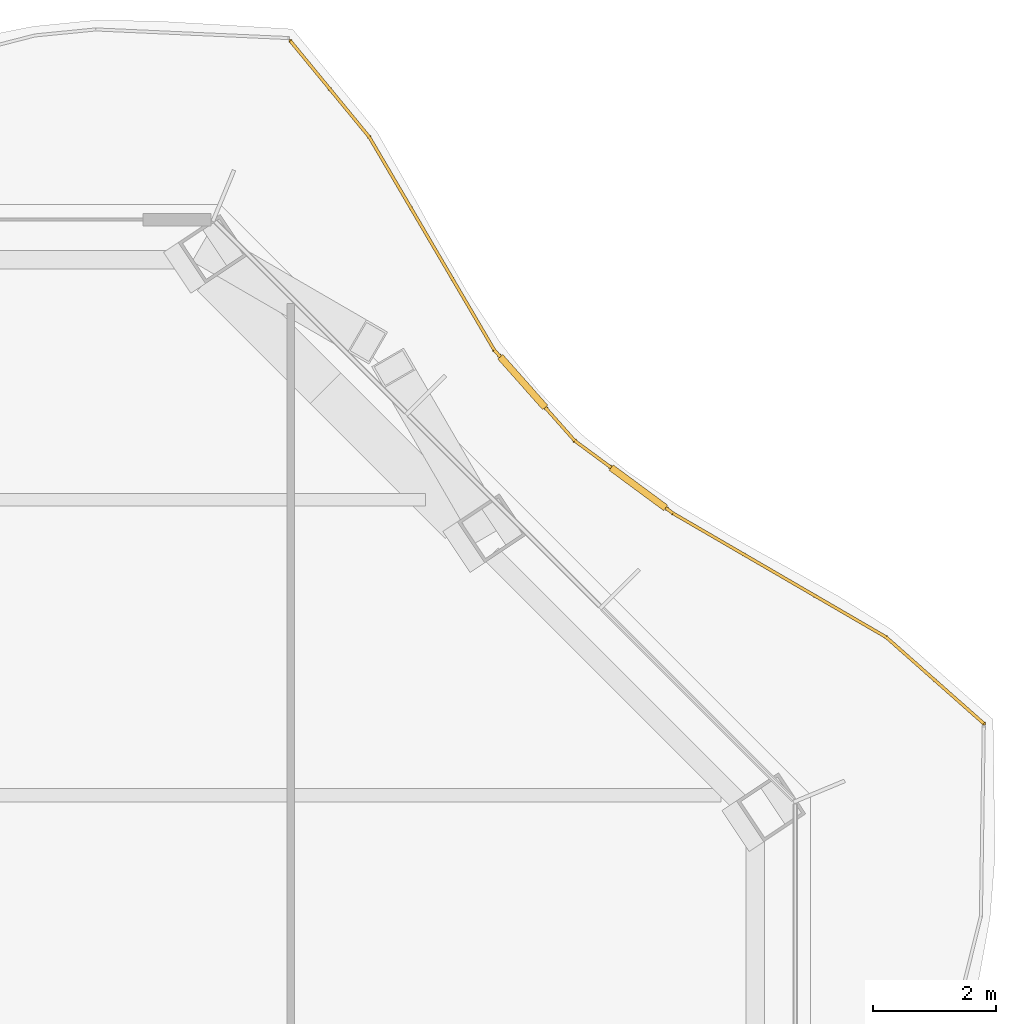
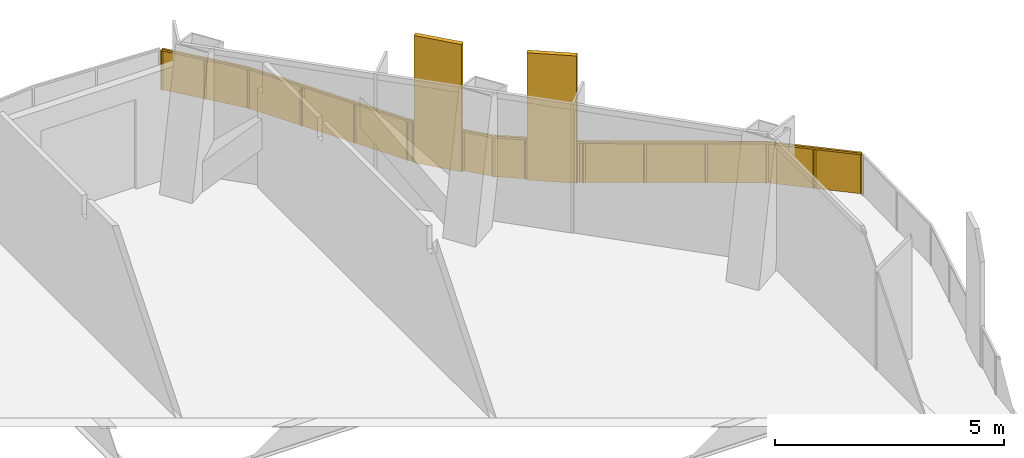
# One storey, part 21 of 21: 1 railing.
"""IFC4 building model written with IfcOpenShell, lengths in metres."""

from ifc_helpers import new_model, si_unit, direction, frame, origin, origin_2d, place, context, subcontext, project, spatial, polyline, rectangle, outline, extrude, material, type_object, element, save


model = new_model("IFC4")

# Units and contexts
model_context = context("Model", 3, precision=1e-05, world=origin(), true_north=direction((0.0, 1.0)))
body_context = subcontext(model_context, "Body", "Model", "MODEL_VIEW")
ifc_project = project(units=[si_unit("LENGTHUNIT", "METRE"), si_unit("AREAUNIT", "SQUARE_METRE"), si_unit("VOLUMEUNIT", "CUBIC_METRE"), si_unit("PLANEANGLEUNIT", "RADIAN"), si_unit("MASSUNIT", "GRAM", prefix="KILO")], contexts=[model_context])

# Site, building, storey
site_placement = place(None, origin())
site = spatial("IfcSite", under=ifc_project, at=site_placement, CompositionType="ELEMENT")
building_placement = place(site_placement, origin())
building = spatial("IfcBuilding", under=site, at=building_placement, Name="Cairn Pilgrim Tower", CompositionType="ELEMENT")
storey_placement = place(building_placement, frame((0.0, 0.0, 108.60009765625)))
storey = spatial("IfcBuildingStorey", under=building, at=storey_placement, Name="L26", CompositionType="ELEMENT", Elevation=108.60009765625)

# Railing
ifc_material = material(Name="Bronze anodised aluminium rail, posts and fin screens with laminated glass infill", Category="aluminium")
railing_type = type_object("IfcRailingType", Name="BALCONY GUARD WITH FIN SCREENS", PredefinedType="GUARDRAIL", material=ifc_material)
railing_placement = place(storey_placement, frame((37.805908203125, 19.689453125, 0.0)))
element("IfcRailing", 1, at=railing_placement, inside=storey, type_object=railing_type, Name="Balcony guard BGF-4 with fin screens", PredefinedType="GUARDRAIL", context=body_context, shape_type="SweptSolid", body=[
    extrude(rectangle(XDim=0.050048828125, YDim=0.050048828125, at=origin_2d()), frame((0.0, 0.0, 1.0751953125), z_axis=(-0.749110938393, 0.662444565213, 0.0), x_axis=(-0.662444565213, -0.749110938393, 0.0)), (0.0, 0.0, 1.0), 2.118408203125),
    extrude(rectangle(XDim=0.050048828125, YDim=0.050048828125, at=origin_2d()), frame((-1.5869140625, 1.4033203125, 1.0751953125), z_axis=(-0.864578002416, 0.502498634564, 0.0), x_axis=(-0.502498634564, -0.864578002416, 0.0)), (0.0, 0.0, 1.0), 4.005859375),
    extrude(rectangle(XDim=1.10009765625, YDim=0.110107421875, at=origin_2d()), frame((-5.613525390625, 3.83203125, 0.0), z_axis=(0.0, 0.0, 1.0), x_axis=(-0.804536309637, 0.59390346562, 0.0)), (0.0, 0.0, 1.0), 3.39990234375),
    extrude(rectangle(XDim=0.050048828125, YDim=0.050048828125, at=origin_2d()), frame((-5.05029296875, 3.416259765625, 1.0751953125), z_axis=(-0.804536309637, 0.59390346562, 0.0), x_axis=(-0.59390346562, -0.804536309637, 0.0)), (0.0, 0.0, 1.0), 0.150146484375),
    extrude(rectangle(XDim=0.050048828125, YDim=0.050048828125, at=origin_2d()), frame((-6.05615234375, 4.15869140625, 1.0751953125), z_axis=(-0.804536309637, 0.59390346562, 0.0), x_axis=(-0.59390346562, -0.804536309637, 0.0)), (0.0, 0.0, 1.0), 0.7353515625),
    extrude(rectangle(XDim=1.10009765625, YDim=0.110107421875, at=origin_2d()), frame((-7.49267578125, 5.548095703125, 0.0), z_axis=(0.0, 0.0, 1.0), x_axis=(-0.663595615477, 0.748091477775, 0.0)), (0.0, 0.0, 1.0), 3.39990234375),
    extrude(rectangle(XDim=0.050048828125, YDim=0.050048828125, at=origin_2d()), frame((-6.647705078125, 4.595458984375, 1.0751953125), z_axis=(-0.663595615477, 0.748091477775, 0.0), x_axis=(-0.748091477775, -0.663595615477, 0.0)), (0.0, 0.0, 1.0), 0.723388671875),
    extrude(rectangle(XDim=0.050048828125, YDim=0.050048828125, at=origin_2d()), frame((-7.857666015625, 5.95947265625, 1.0751953125), z_axis=(-0.663595615477, 0.748091477775, 0.0), x_axis=(-0.748091477775, -0.663595615477, 0.0)), (0.0, 0.0, 1.0), 0.14990234375),
    extrude(rectangle(XDim=0.050048828125, YDim=0.050048828125, at=origin_2d()), frame((-7.957275390625, 6.07177734375, 1.0751953125), z_axis=(-0.505985027011, 0.862542261249, 0.0), x_axis=(-0.862542261249, -0.505985027011, 0.0)), (0.0, 0.0, 1.0), 4.010986328125),
    extrude(rectangle(XDim=0.050048828125, YDim=0.050048828125, at=origin_2d()), frame((-9.98681640625, 9.531494140625, 1.0751953125), z_axis=(-0.634703363192, 0.772755873968, 0.0), x_axis=(-0.772755873968, -0.634703363192, 0.0)), (0.0, 0.0, 1.0), 2.021240234375),
    extrude(rectangle(XDim=0.050048828125, YDim=0.050048828125, at=origin_2d()), origin(), (0.0, 0.0, 1.0), 1.050048828125),
    extrude(rectangle(XDim=0.050048828125, YDim=0.050048828125, at=origin_2d()), frame((-0.79345703125, 0.70166015625, 0.0)), (0.0, 0.0, 1.0), 1.050048828125),
    extrude(rectangle(XDim=0.050048828125, YDim=0.050048828125, at=origin_2d()), frame((-1.5869140625, 1.4033203125, 0.0)), (0.0, 0.0, 1.0), 1.050048828125),
    extrude(rectangle(XDim=0.050048828125, YDim=0.050048828125, at=origin_2d()), frame((-2.741455078125, 2.07421875, 0.0)), (0.0, 0.0, 1.0), 1.050048828125),
    extrude(rectangle(XDim=0.050048828125, YDim=0.050048828125, at=origin_2d()), frame((-3.895751953125, 2.745361328125, 0.0)), (0.0, 0.0, 1.0), 1.050048828125),
    extrude(rectangle(XDim=0.050048828125, YDim=0.050048828125, at=origin_2d()), frame((-5.05029296875, 3.416259765625, 0.0)), (0.0, 0.0, 1.0), 1.050048828125),
    extrude(rectangle(XDim=0.050048828125, YDim=0.050048828125, at=origin_2d()), frame((-5.15087890625, 3.490478515625, 0.0)), (0.0, 0.0, 1.0), 1.050048828125),
    extrude(rectangle(XDim=0.050048828125, YDim=0.050048828125, at=origin_2d()), frame((-6.076171875, 4.173583984375, 0.0)), (0.0, 0.0, 1.0), 1.050048828125),
    extrude(rectangle(XDim=0.050048828125, YDim=0.050048828125, at=origin_2d()), frame((-6.647705078125, 4.595458984375, 0.0)), (0.0, 0.0, 1.0), 1.050048828125),
    extrude(rectangle(XDim=0.050048828125, YDim=0.050048828125, at=origin_2d()), frame((-7.111083984375, 5.117919921875, 0.0)), (0.0, 0.0, 1.0), 1.050048828125),
    extrude(rectangle(XDim=0.050048828125, YDim=0.050048828125, at=origin_2d()), frame((-7.874267578125, 5.978271484375, 0.0)), (0.0, 0.0, 1.0), 1.050048828125),
    extrude(rectangle(XDim=0.050048828125, YDim=0.050048828125, at=origin_2d()), frame((-7.957275390625, 6.07177734375, 0.0)), (0.0, 0.0, 1.0), 1.050048828125),
    extrude(rectangle(XDim=0.050048828125, YDim=0.050048828125, at=origin_2d()), frame((-8.6337890625, 7.22509765625, 0.0)), (0.0, 0.0, 1.0), 1.050048828125),
    extrude(rectangle(XDim=0.050048828125, YDim=0.050048828125, at=origin_2d()), frame((-9.310302734375, 8.378173828125, 0.0)), (0.0, 0.0, 1.0), 1.050048828125),
    extrude(rectangle(XDim=0.050048828125, YDim=0.050048828125, at=origin_2d()), frame((-9.98681640625, 9.531494140625, 0.0)), (0.0, 0.0, 1.0), 1.050048828125),
    extrude(rectangle(XDim=0.050048828125, YDim=0.050048828125, at=origin_2d()), frame((-10.62841796875, 10.3125, 0.0)), (0.0, 0.0, 1.0), 1.050048828125),
    extrude(rectangle(XDim=0.050048828125, YDim=0.050048828125, at=origin_2d()), frame((-11.269775390625, 11.093505859375, 0.0)), (0.0, 0.0, 1.0), 1.050048828125),
    extrude(outline(polyline([(0.02490234375, 0.0), (1.0341796875, 0.0), (1.0341796875, 1.050048828125), (0.02490234375, 1.050048828125), (0.02490234375, 0.0)])), frame((-0.00390625, -0.00439453125, 0.0), z_axis=(0.662444565213, 0.749110938393, 0.0), x_axis=(-0.749110938393, 0.662444565213, 0.0)), (0.0, 0.0, 1.0), 0.011962890625),
    extrude(outline(polyline([(0.02490234375, 0.0), (1.0341796875, 0.0), (1.0341796875, 1.050048828125), (0.02490234375, 1.050048828125), (0.02490234375, 0.0)])), frame((-0.79736328125, 0.697265625, 0.0), z_axis=(0.662444565213, 0.749110938393, 0.0), x_axis=(-0.749110938393, 0.662444565213, 0.0)), (0.0, 0.0, 1.0), 0.011962890625),
    extrude(outline(polyline([(0.02490234375, 0.0), (1.310302734375, 0.0), (1.310302734375, 1.050048828125), (0.02490234375, 1.050048828125), (0.02490234375, 0.0)])), frame((-1.58984375, 1.398193359375, 0.0), z_axis=(0.502498634564, 0.864578002416, 0.0), x_axis=(-0.864578002416, 0.502498634564, 0.0)), (0.0, 0.0, 1.0), 0.011962890625),
    extrude(outline(polyline([(0.02490234375, 0.0), (1.310302734375, 0.0), (1.310302734375, 1.050048828125), (0.02490234375, 1.050048828125), (0.02490234375, 0.0)])), frame((-2.744384765625, 2.069091796875, 0.0), z_axis=(0.502498634564, 0.864578002416, 0.0), x_axis=(-0.864578002416, 0.502498634564, 0.0)), (0.0, 0.0, 1.0), 0.011962890625),
    extrude(outline(polyline([(0.02490234375, 0.0), (1.310302734375, 0.0), (1.310302734375, 1.050048828125), (0.02490234375, 1.050048828125), (0.02490234375, 0.0)])), frame((-3.89892578125, 2.739990234375, 0.0), z_axis=(0.502498634564, 0.864578002416, 0.0), x_axis=(-0.864578002416, 0.502498634564, 0.0)), (0.0, 0.0, 1.0), 0.011962890625),
    extrude(outline(polyline([(0.02490234375, 0.0), (0.10009765625, 0.0), (0.10009765625, 1.050048828125), (0.02490234375, 1.050048828125), (0.02490234375, 0.0)])), frame((-5.053955078125, 3.411376953125, 0.0), z_axis=(0.59390346562, 0.804536309637, 0.0), x_axis=(-0.804536309637, 0.59390346562, 0.0)), (0.0, 0.0, 1.0), 0.011962890625),
    extrude(outline(polyline([(0.02490234375, 0.0), (0.685302734375, 0.0), (0.685302734375, 1.050048828125), (0.02490234375, 1.050048828125), (0.02490234375, 0.0)])), frame((-6.079833984375, 4.168701171875, 0.0), z_axis=(0.59390346562, 0.804536309637, 0.0), x_axis=(-0.804536309637, 0.59390346562, 0.0)), (0.0, 0.0, 1.0), 0.011962890625),
    extrude(outline(polyline([(0.02490234375, 0.0), (0.67333984375, 0.0), (0.67333984375, 1.050048828125), (0.02490234375, 1.050048828125), (0.02490234375, 0.0)])), frame((-6.652099609375, 4.591552734375, 0.0), z_axis=(0.748091477775, 0.663595615477, 0.0), x_axis=(-0.663595615477, 0.748091477775, 0.0)), (0.0, 0.0, 1.0), 0.011962890625),
    extrude(outline(polyline([(0.02490234375, 0.0), (0.099853515625, 0.0), (0.099853515625, 1.050048828125), (0.02490234375, 1.050048828125), (0.02490234375, 0.0)])), frame((-7.87890625, 5.974365234375, 0.0), z_axis=(0.748091477775, 0.663595615477, 0.0), x_axis=(-0.663595615477, 0.748091477775, 0.0)), (0.0, 0.0, 1.0), 0.011962890625),
    extrude(outline(polyline([(0.02490234375, 0.0), (1.31201171875, 0.0), (1.31201171875, 1.050048828125), (0.02490234375, 1.050048828125), (0.02490234375, 0.0)])), frame((-7.96240234375, 6.06884765625, 0.0), z_axis=(0.862542261249, 0.505985027011, 0.0), x_axis=(-0.505985027011, 0.862542261249, 0.0)), (0.0, 0.0, 1.0), 0.011962890625),
    extrude(outline(polyline([(0.02490234375, 0.0), (1.31201171875, 0.0), (1.31201171875, 1.050048828125), (0.02490234375, 1.050048828125), (0.02490234375, 0.0)])), frame((-8.638916015625, 7.221923828125, 0.0), z_axis=(0.862542261249, 0.505985027011, 0.0), x_axis=(-0.505985027011, 0.862542261249, 0.0)), (0.0, 0.0, 1.0), 0.011962890625),
    extrude(outline(polyline([(0.02490234375, 0.0), (1.31201171875, 0.0), (1.31201171875, 1.050048828125), (0.02490234375, 1.050048828125), (0.02490234375, 0.0)])), frame((-9.3154296875, 8.375244140625, 0.0), z_axis=(0.862542261249, 0.505985027011, 0.0), x_axis=(-0.505985027011, 0.862542261249, 0.0)), (0.0, 0.0, 1.0), 0.011962890625),
    extrude(outline(polyline([(0.02490234375, 0.0), (0.985595703125, 0.0), (0.985595703125, 1.050048828125), (0.02490234375, 1.050048828125), (0.02490234375, 0.0)])), frame((-9.991455078125, 9.527587890625, 0.0), z_axis=(0.772755873968, 0.634703363192, 0.0), x_axis=(-0.634703363192, 0.772755873968, 0.0)), (0.0, 0.0, 1.0), 0.011962890625),
    extrude(outline(polyline([(0.02490234375, 0.0), (0.985595703125, 0.0), (0.985595703125, 1.050048828125), (0.02490234375, 1.050048828125), (0.02490234375, 0.0)])), frame((-10.6328125, 10.30859375, 0.0), z_axis=(0.772755873968, 0.634703363192, 0.0), x_axis=(-0.634703363192, 0.772755873968, 0.0)), (0.0, 0.0, 1.0), 0.011962890625),
])

save(model, "model.ifc")
